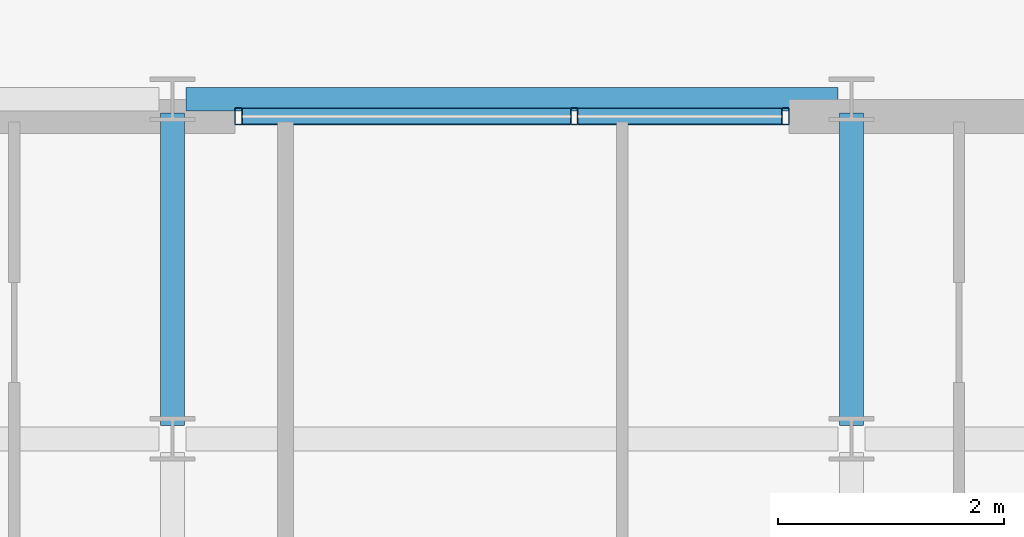
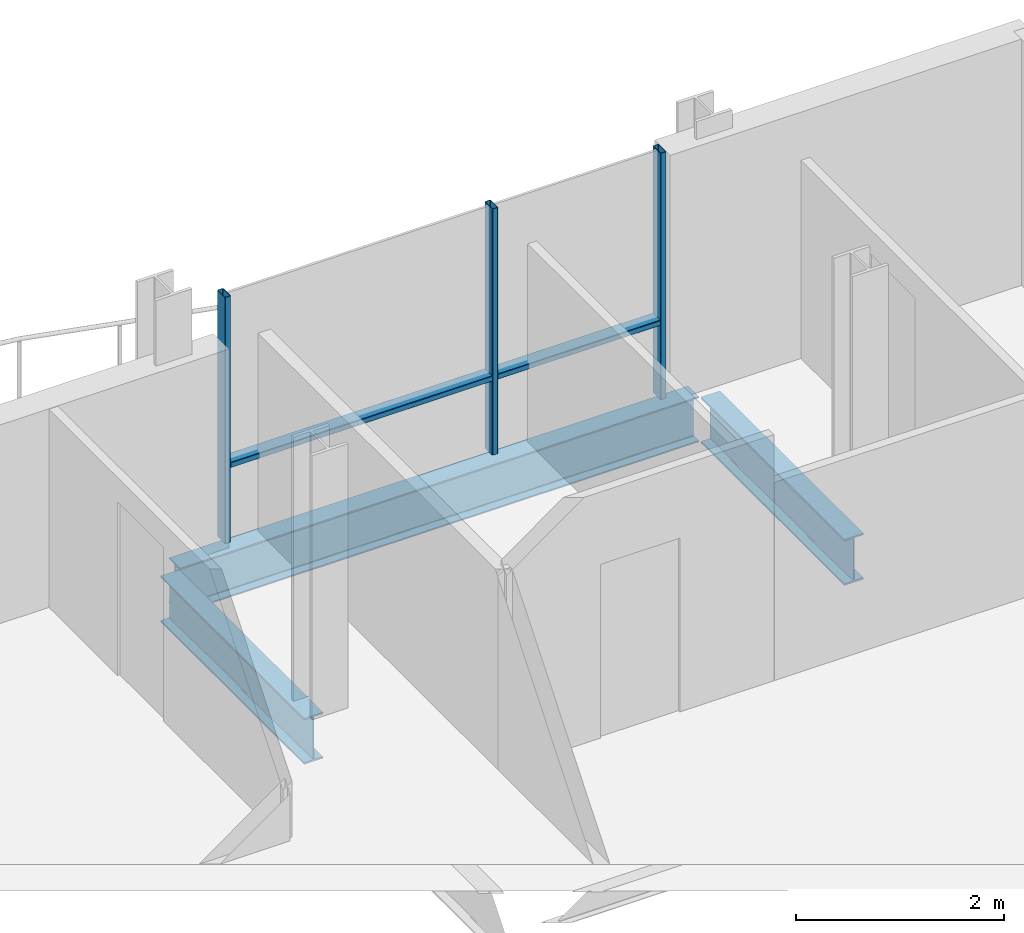
# One storey, part 13 of 28: 5 members, 3 beams, 1 element without a shape of its own.
"""IFC4 building model written with IfcOpenShell, lengths in metres."""

from ifc_helpers import new_model, si_unit, direction, frame, origin, origin_2d, place, context, subcontext, project, spatial, hollow_rectangle, i_section, extrude, material, layer, layer_set, material_profile, profile_set, type_object, element, aggregate, save


model = new_model("IFC4")

# Units and contexts
model_context = context("Model", 3, precision=1e-05, world=origin(), true_north=direction((0.0, 1.0)))
body_context = subcontext(model_context, "Body", "Model", "MODEL_VIEW")
ifc_project = project(units=[si_unit("LENGTHUNIT", "METRE"), si_unit("AREAUNIT", "SQUARE_METRE"), si_unit("VOLUMEUNIT", "CUBIC_METRE"), si_unit("PLANEANGLEUNIT", "RADIAN"), si_unit("MASSUNIT", "GRAM", prefix="KILO")], contexts=[model_context])

# Site, building, storey
site_placement = place(None, origin())
site = spatial("IfcSite", under=ifc_project, at=site_placement, CompositionType="ELEMENT")
building_placement = place(site_placement, origin())
building = spatial("IfcBuilding", under=site, at=building_placement, Name="Brevholm Reach", CompositionType="ELEMENT")
storey_placement = place(building_placement, frame((0.0, 0.0, 192.5)))
storey = spatial("IfcBuildingStorey", under=building, at=storey_placement, Name="L58", CompositionType="ELEMENT", Elevation=192.5)

# Beams
ifc_material_1 = material(Name="Structural Steel S355J2", Category="steel")
ifc_material_profile_1 = material_profile(ifc_material_1, i_section(OverallWidth=0.209228515625, OverallDepth=0.533203125, WebThickness=0.010009765625, FlangeThickness=0.015625, FilletRadius=0.0126953125, at=origin_2d()), Name="UKB 533x210x92")
ifc_profile_set_1 = profile_set([ifc_material_profile_1], Name="Structural Steel S355J2")
beam_type_1 = type_object("IfcBeamType", Name="BM-SP533", PredefinedType="SPANDREL", material=ifc_profile_set_1)
beam_placement = place(storey_placement, frame((48.1201171875, 26.5, -0.4765625), z_axis=(1.0, 0.0, 0.0), x_axis=(0.0, 1.0, 0.0)))
element("IfcBeam", 1, at=beam_placement, inside=storey, type_object=beam_type_1, Name="L58 SP-02 Framing Beam", PredefinedType="SPANDREL", context=body_context, shape_type="SweptSolid", body=[
    extrude(i_section(OverallWidth=0.209228515625, OverallDepth=0.533203125, WebThickness=0.010009765625, FlangeThickness=0.015625, FilletRadius=0.0126953125, at=origin_2d()), origin(), (0.0, 0.0, 1.0), 5.759765625),
])
ifc_material_2 = material(Name="Structural Steel S355J2", Category="steel")
ifc_material_profile_2 = material_profile(ifc_material_2, i_section(OverallWidth=0.210693359375, OverallDepth=0.53955078125, WebThickness=0.01171875, FlangeThickness=0.018798828125, FilletRadius=0.0126953125, at=origin_2d()), Name="UKB 533x210x109")
ifc_profile_set_2 = profile_set([ifc_material_profile_2], Name="Structural Steel S355J2")
beam_type_2 = type_object("IfcBeamType", Name="BM-SP539", PredefinedType="SPANDREL", material=ifc_profile_set_2)
for number, where, z_axis, x_axis, name in (
    (2, (48.0, 23.6201171875, -0.479736328125), (0.0, 1.0, 0.0), (-1.0, 0.0, 0.0), "L58 SP-01B Framing Beam"),
    (3, (54.0, 23.6201171875, -0.479736328125), (0.0, 1.0, 0.0), (-1.0, 0.0, 0.0), "L58 SP-01B Framing Beam"),
):
    element("IfcBeam", number, at=place(storey_placement, frame(where, z_axis=z_axis, x_axis=x_axis)), inside=storey, type_object=beam_type_2, Name=name, PredefinedType="SPANDREL", context=body_context, shape_type="SweptSolid", body=[
        extrude(i_section(OverallWidth=0.210693359375, OverallDepth=0.53955078125, WebThickness=0.01171875, FlangeThickness=0.018798828125, FilletRadius=0.0126953125, at=origin_2d()), origin(), (0.0, 0.0, 1.0), 2.759765625),
    ])

# Curtain wall, members
ifc_material_3 = material(Name="Dark Anodised Aluminium 6063-T6 and Solar-Control Glass", Category="aluminium")
ifc_layer = layer(ifc_material_3, 0.14990234375)
ifc_layer_set = layer_set([ifc_layer], Name="Dark Anodised Aluminium 6063-T6 and Solar-Control Glass")
curtain_wall_type = type_object("IfcCurtainWallType", Name="CW-01", PredefinedType="NOTDEFINED", material=ifc_layer_set)
curtain_wall_placement = place(storey_placement, origin())
curtain_wall = element("IfcCurtainWall", 4, at=curtain_wall_placement, inside=storey, type_object=curtain_wall_type, Name="L58 Curtain Wall CW-01", PredefinedType="NOTDEFINED")
ifc_material_4 = material(Name="Dark Anodised Aluminium 6063-T6", Category="aluminium")
ifc_material_profile_3 = material_profile(ifc_material_4, hollow_rectangle(XDim=0.06494140625, YDim=0.14990234375, WallThickness=0.0048828125, InnerFilletRadius=0.0048828125, OuterFilletRadius=0.010009765625, at=origin_2d()), Name="RHS 150x65x5")
ifc_profile_set_3 = profile_set([ifc_material_profile_3], Name="Dark Anodised Aluminium 6063-T6")
member_type_1 = type_object("IfcMemberType", Name="CWM-150", PredefinedType="MULLION", material=ifc_profile_set_3)
member_1_placement = place(storey_placement, frame((48.58251953125, 26.35009765625, 0.0), z_axis=(0.0, 0.0, 1.0), x_axis=(1.0, 0.0, 0.0)))
member_1 = element("IfcMember", 5, at=member_1_placement, type_object=member_type_1, Name="CM-150 Mullion 1", PredefinedType="MULLION", context=body_context, shape_type="SweptSolid", body=[
    extrude(hollow_rectangle(XDim=0.06494140625, YDim=0.14990234375, WallThickness=0.0048828125, InnerFilletRadius=0.0048828125, OuterFilletRadius=0.010009765625, at=origin_2d()), origin(), (0.0, 0.0, 1.0), 2.889892578125),
])
member_2_placement = place(storey_placement, frame((51.550048828125, 26.35009765625, 0.0), z_axis=(0.0, 0.0, 1.0), x_axis=(1.0, 0.0, 0.0)))
member_2 = element("IfcMember", 6, at=member_2_placement, type_object=member_type_1, Name="CM-150 Mullion 2", PredefinedType="MULLION", context=body_context, shape_type="SweptSolid", body=[
    extrude(hollow_rectangle(XDim=0.06494140625, YDim=0.14990234375, WallThickness=0.0048828125, InnerFilletRadius=0.0048828125, OuterFilletRadius=0.010009765625, at=origin_2d()), origin(), (0.0, 0.0, 1.0), 2.889892578125),
])
member_3_placement = place(storey_placement, frame((53.41748046875, 26.35009765625, 0.0), z_axis=(0.0, 0.0, 1.0), x_axis=(1.0, 0.0, 0.0)))
member_3 = element("IfcMember", 7, at=member_3_placement, type_object=member_type_1, Name="CM-150 Mullion 3", PredefinedType="MULLION", context=body_context, shape_type="SweptSolid", body=[
    extrude(hollow_rectangle(XDim=0.06494140625, YDim=0.14990234375, WallThickness=0.0048828125, InnerFilletRadius=0.0048828125, OuterFilletRadius=0.010009765625, at=origin_2d()), origin(), (0.0, 0.0, 1.0), 2.889892578125),
])
ifc_material_5 = material(Name="Dark Anodised Aluminium 6063-T6", Category="aluminium")
ifc_material_profile_4 = material_profile(ifc_material_5, hollow_rectangle(XDim=0.06494140625, YDim=0.14990234375, WallThickness=0.0048828125, InnerFilletRadius=0.0048828125, OuterFilletRadius=0.010009765625, at=origin_2d()), Name="RHS 150x65x5")
ifc_profile_set_4 = profile_set([ifc_material_profile_4], Name="Dark Anodised Aluminium 6063-T6")
member_type_2 = type_object("IfcMemberType", Name="CWT-150", PredefinedType="NOTDEFINED", material=ifc_profile_set_4)
member_4_placement = place(storey_placement, frame((48.614990234375, 26.35009765625, 0.89990234375), z_axis=(1.0, 0.0, 0.0), x_axis=(0.0, 0.0, 1.0)))
member_4 = element("IfcMember", 8, at=member_4_placement, type_object=member_type_2, Name="CT-150 Transom 1.1", ObjectType="TRANSOM", PredefinedType="USERDEFINED", context=body_context, shape_type="SweptSolid", body=[
    extrude(hollow_rectangle(XDim=0.06494140625, YDim=0.14990234375, WallThickness=0.0048828125, InnerFilletRadius=0.0048828125, OuterFilletRadius=0.010009765625, at=origin_2d()), origin(), (0.0, 0.0, 1.0), 2.902587890625),
])
member_5_placement = place(storey_placement, frame((51.58251953125, 26.35009765625, 0.89990234375), z_axis=(1.0, 0.0, 0.0), x_axis=(0.0, 0.0, 1.0)))
member_5 = element("IfcMember", 9, at=member_5_placement, type_object=member_type_2, Name="CT-150 Transom 2.1", ObjectType="TRANSOM", PredefinedType="USERDEFINED", context=body_context, shape_type="SweptSolid", body=[
    extrude(hollow_rectangle(XDim=0.06494140625, YDim=0.14990234375, WallThickness=0.0048828125, InnerFilletRadius=0.0048828125, OuterFilletRadius=0.010009765625, at=origin_2d()), origin(), (0.0, 0.0, 1.0), 1.802490234375),
])
aggregate(curtain_wall, [member_1, member_2, member_3, member_4, member_5])

save(model, "model.ifc")
